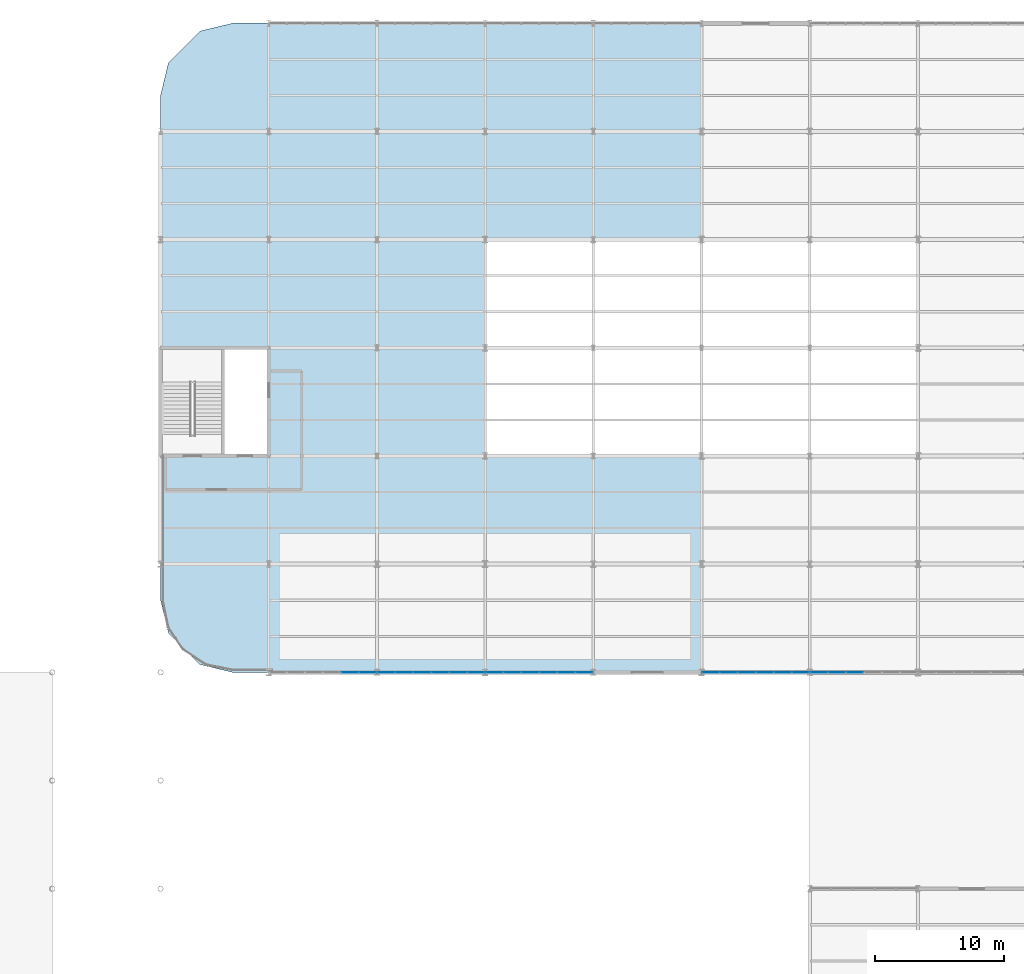
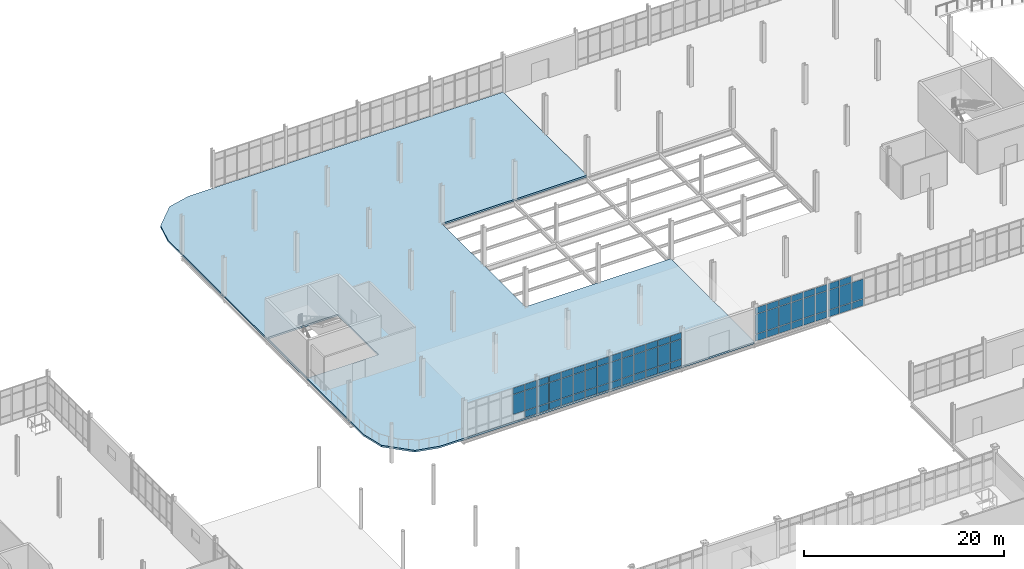
# One storey, part 116 of 145: 67 plates, 1 slab, 5 elements without a shape of their own.
"""IFC4 building model written with IfcOpenShell, lengths in metres."""

from ifc_helpers import new_model, si_unit, direction, frame, origin, origin_2d, place, context, subcontext, project, spatial, polyline, rectangle, outline, extrude, material, layer, layer_set, type_object, element, aggregate, save


model = new_model("IFC4")

# Units and contexts
model_context = context("Model", 3, precision=1e-05, world=origin(), true_north=direction((0.0, 1.0)))
body_context = subcontext(model_context, "Body", "Model", "MODEL_VIEW")
ifc_project = project(units=[si_unit("LENGTHUNIT", "METRE"), si_unit("AREAUNIT", "SQUARE_METRE"), si_unit("VOLUMEUNIT", "CUBIC_METRE"), si_unit("PLANEANGLEUNIT", "RADIAN"), si_unit("MASSUNIT", "GRAM", prefix="KILO")], contexts=[model_context])

# Site, building, storey
site_placement = place(None, origin())
site = spatial("IfcSite", under=ifc_project, at=site_placement, CompositionType="ELEMENT")
building_placement = place(site_placement, origin())
building = spatial("IfcBuilding", under=site, at=building_placement, Name="Qalvenar Corner Mobility Hub", CompositionType="ELEMENT")
storey_placement = place(building_placement, origin())
storey = spatial("IfcBuildingStorey", under=building, at=storey_placement, Name="L00", CompositionType="ELEMENT", Elevation=0.0)

# Curtain wall, plates
ifc_material_1 = material(Name="Anodised Aluminium and Low-E Glazing", Category="aluminium")
ifc_layer_1 = layer(ifc_material_1, 0.14990234375)
ifc_layer_set_1 = layer_set([ifc_layer_1], Name="Anodised Aluminium and Low-E Glazing")
curtain_wall_type = type_object("IfcCurtainWallType", Name="CW-MOB-84X46", PredefinedType="NOTDEFINED", material=ifc_layer_set_1)
curtain_wall_1_placement = place(storey_placement, origin())
curtain_wall_1 = element("IfcCurtainWall", 1, at=curtain_wall_1_placement, inside=storey, type_object=curtain_wall_type, Name="Glazed Curtain Wall CW-V4-L00-S1", PredefinedType="NOTDEFINED")
ifc_material_2 = material(Name="Solar-Control Low-E Double Glazing", Category="glass")
ifc_layer_2 = layer(ifc_material_2, 0.028076171875)
ifc_layer_set_2 = layer_set([ifc_layer_2], Name="Solar-Control Low-E Double Glazing")
plate_type = type_object("IfcPlateType", Name="PLT-CWP-GLZ1", PredefinedType="CURTAIN_PANEL", material=ifc_layer_set_2)
plate_1_placement = place(storey_placement, frame((73.5, 67.199951171875, 0.927490234375), z_axis=(0.0, 0.0, 1.0), x_axis=(1.0, 0.0, 0.0)))
plate_1 = element("IfcPlate", 2, at=plate_1_placement, type_object=plate_type, Name="CW-03 panel 5.2", PredefinedType="CURTAIN_PANEL", context=body_context, shape_type="SweptSolid", body=[
    extrude(rectangle(XDim=1.340087890625, YDim=0.028076171875, at=origin_2d()), origin(), (0.0, 0.0, 1.0), 2.39501953125),
])
plate_2_placement = place(storey_placement, frame((73.5, 67.199951171875, 3.37744140625), z_axis=(0.0, 0.0, 1.0), x_axis=(1.0, 0.0, 0.0)))
plate_2 = element("IfcPlate", 3, at=plate_2_placement, type_object=plate_type, Name="CW-03 panel 5.3", PredefinedType="CURTAIN_PANEL", context=body_context, shape_type="SweptSolid", body=[
    extrude(rectangle(XDim=1.340087890625, YDim=0.028076171875, at=origin_2d()), origin(), (0.0, 0.0, 1.0), 0.767578125),
])
plate_3_placement = place(storey_placement, frame((74.885009765625, 67.199951171875, 0.05517578125), z_axis=(0.0, 0.0, 1.0), x_axis=(1.0, 0.0, 0.0)))
plate_3 = element("IfcPlate", 4, at=plate_3_placement, type_object=plate_type, Name="CW-03 panel 6.1", PredefinedType="CURTAIN_PANEL", context=body_context, shape_type="SweptSolid", body=[
    extrude(rectangle(XDim=1.31005859375, YDim=0.028076171875, at=origin_2d()), origin(), (0.0, 0.0, 1.0), 0.8173828125),
])
plate_4_placement = place(storey_placement, frame((74.885009765625, 67.199951171875, 0.927490234375), z_axis=(0.0, 0.0, 1.0), x_axis=(1.0, 0.0, 0.0)))
plate_4 = element("IfcPlate", 5, at=plate_4_placement, type_object=plate_type, Name="CW-03 panel 6.2", PredefinedType="CURTAIN_PANEL", context=body_context, shape_type="SweptSolid", body=[
    extrude(rectangle(XDim=1.31005859375, YDim=0.028076171875, at=origin_2d()), origin(), (0.0, 0.0, 1.0), 2.39501953125),
])
plate_5_placement = place(storey_placement, frame((74.885009765625, 67.199951171875, 3.37744140625), z_axis=(0.0, 0.0, 1.0), x_axis=(1.0, 0.0, 0.0)))
plate_5 = element("IfcPlate", 6, at=plate_5_placement, type_object=plate_type, Name="CW-03 panel 6.3", PredefinedType="CURTAIN_PANEL", context=body_context, shape_type="SweptSolid", body=[
    extrude(rectangle(XDim=1.31005859375, YDim=0.028076171875, at=origin_2d()), origin(), (0.0, 0.0, 1.0), 0.767578125),
])
aggregate(curtain_wall_1, [plate_1, plate_2, plate_3, plate_4, plate_5])

curtain_wall_2_placement = place(storey_placement, origin())
curtain_wall_2 = element("IfcCurtainWall", 7, at=curtain_wall_2_placement, inside=storey, type_object=curtain_wall_type, Name="Glazed Curtain Wall CW-V4-L00-S2", PredefinedType="NOTDEFINED")
plate_6_placement = place(storey_placement, frame((76.31494140625, 67.199951171875, 0.05517578125), z_axis=(0.0, 0.0, 1.0), x_axis=(1.0, 0.0, 0.0)))
plate_6 = element("IfcPlate", 8, at=plate_6_placement, type_object=plate_type, Name="CW-03 panel 1.1", PredefinedType="CURTAIN_PANEL", context=body_context, shape_type="SweptSolid", body=[
    extrude(rectangle(XDim=1.31005859375, YDim=0.028076171875, at=origin_2d()), origin(), (0.0, 0.0, 1.0), 0.8173828125),
])
plate_7_placement = place(storey_placement, frame((76.31494140625, 67.199951171875, 0.927490234375), z_axis=(0.0, 0.0, 1.0), x_axis=(1.0, 0.0, 0.0)))
plate_7 = element("IfcPlate", 9, at=plate_7_placement, type_object=plate_type, Name="CW-03 panel 1.2", PredefinedType="CURTAIN_PANEL", context=body_context, shape_type="SweptSolid", body=[
    extrude(rectangle(XDim=1.31005859375, YDim=0.028076171875, at=origin_2d()), origin(), (0.0, 0.0, 1.0), 2.39501953125),
])
plate_8_placement = place(storey_placement, frame((76.31494140625, 67.199951171875, 3.37744140625), z_axis=(0.0, 0.0, 1.0), x_axis=(1.0, 0.0, 0.0)))
plate_8 = element("IfcPlate", 10, at=plate_8_placement, type_object=plate_type, Name="CW-03 panel 1.3", PredefinedType="CURTAIN_PANEL", context=body_context, shape_type="SweptSolid", body=[
    extrude(rectangle(XDim=1.31005859375, YDim=0.028076171875, at=origin_2d()), origin(), (0.0, 0.0, 1.0), 0.767578125),
])
plate_9_placement = place(storey_placement, frame((77.699951171875, 67.199951171875, 0.05517578125), z_axis=(0.0, 0.0, 1.0), x_axis=(1.0, 0.0, 0.0)))
plate_9 = element("IfcPlate", 11, at=plate_9_placement, type_object=plate_type, Name="CW-03 panel 2.1", PredefinedType="CURTAIN_PANEL", context=body_context, shape_type="SweptSolid", body=[
    extrude(rectangle(XDim=1.340087890625, YDim=0.028076171875, at=origin_2d()), origin(), (0.0, 0.0, 1.0), 0.8173828125),
])
plate_10_placement = place(storey_placement, frame((77.699951171875, 67.199951171875, 0.927490234375), z_axis=(0.0, 0.0, 1.0), x_axis=(1.0, 0.0, 0.0)))
plate_10 = element("IfcPlate", 12, at=plate_10_placement, type_object=plate_type, Name="CW-03 panel 2.2", PredefinedType="CURTAIN_PANEL", context=body_context, shape_type="SweptSolid", body=[
    extrude(rectangle(XDim=1.340087890625, YDim=0.028076171875, at=origin_2d()), origin(), (0.0, 0.0, 1.0), 2.39501953125),
])
plate_11_placement = place(storey_placement, frame((77.699951171875, 67.199951171875, 3.37744140625), z_axis=(0.0, 0.0, 1.0), x_axis=(1.0, 0.0, 0.0)))
plate_11 = element("IfcPlate", 13, at=plate_11_placement, type_object=plate_type, Name="CW-03 panel 2.3", PredefinedType="CURTAIN_PANEL", context=body_context, shape_type="SweptSolid", body=[
    extrude(rectangle(XDim=1.340087890625, YDim=0.028076171875, at=origin_2d()), origin(), (0.0, 0.0, 1.0), 0.767578125),
])
plate_12_placement = place(storey_placement, frame((79.10009765625, 67.199951171875, 0.05517578125), z_axis=(0.0, 0.0, 1.0), x_axis=(1.0, 0.0, 0.0)))
plate_12 = element("IfcPlate", 14, at=plate_12_placement, type_object=plate_type, Name="CW-03 panel 3.1", PredefinedType="CURTAIN_PANEL", context=body_context, shape_type="SweptSolid", body=[
    extrude(rectangle(XDim=1.340087890625, YDim=0.028076171875, at=origin_2d()), origin(), (0.0, 0.0, 1.0), 0.8173828125),
])
plate_13_placement = place(storey_placement, frame((79.10009765625, 67.199951171875, 0.927490234375), z_axis=(0.0, 0.0, 1.0), x_axis=(1.0, 0.0, 0.0)))
plate_13 = element("IfcPlate", 15, at=plate_13_placement, type_object=plate_type, Name="CW-03 panel 3.2", PredefinedType="CURTAIN_PANEL", context=body_context, shape_type="SweptSolid", body=[
    extrude(rectangle(XDim=1.340087890625, YDim=0.028076171875, at=origin_2d()), origin(), (0.0, 0.0, 1.0), 2.39501953125),
])
plate_14_placement = place(storey_placement, frame((79.10009765625, 67.199951171875, 3.37744140625), z_axis=(0.0, 0.0, 1.0), x_axis=(1.0, 0.0, 0.0)))
plate_14 = element("IfcPlate", 16, at=plate_14_placement, type_object=plate_type, Name="CW-03 panel 3.3", PredefinedType="CURTAIN_PANEL", context=body_context, shape_type="SweptSolid", body=[
    extrude(rectangle(XDim=1.340087890625, YDim=0.028076171875, at=origin_2d()), origin(), (0.0, 0.0, 1.0), 0.767578125),
])
plate_15_placement = place(storey_placement, frame((80.5, 67.199951171875, 0.05517578125), z_axis=(0.0, 0.0, 1.0), x_axis=(1.0, 0.0, 0.0)))
plate_15 = element("IfcPlate", 17, at=plate_15_placement, type_object=plate_type, Name="CW-03 panel 4.1", PredefinedType="CURTAIN_PANEL", context=body_context, shape_type="SweptSolid", body=[
    extrude(rectangle(XDim=1.340087890625, YDim=0.028076171875, at=origin_2d()), origin(), (0.0, 0.0, 1.0), 0.8173828125),
])
plate_16_placement = place(storey_placement, frame((80.5, 67.199951171875, 0.927490234375), z_axis=(0.0, 0.0, 1.0), x_axis=(1.0, 0.0, 0.0)))
plate_16 = element("IfcPlate", 18, at=plate_16_placement, type_object=plate_type, Name="CW-03 panel 4.2", PredefinedType="CURTAIN_PANEL", context=body_context, shape_type="SweptSolid", body=[
    extrude(rectangle(XDim=1.340087890625, YDim=0.028076171875, at=origin_2d()), origin(), (0.0, 0.0, 1.0), 2.39501953125),
])
plate_17_placement = place(storey_placement, frame((80.5, 67.199951171875, 3.37744140625), z_axis=(0.0, 0.0, 1.0), x_axis=(1.0, 0.0, 0.0)))
plate_17 = element("IfcPlate", 19, at=plate_17_placement, type_object=plate_type, Name="CW-03 panel 4.3", PredefinedType="CURTAIN_PANEL", context=body_context, shape_type="SweptSolid", body=[
    extrude(rectangle(XDim=1.340087890625, YDim=0.028076171875, at=origin_2d()), origin(), (0.0, 0.0, 1.0), 0.767578125),
])
plate_18_placement = place(storey_placement, frame((81.89990234375, 67.199951171875, 0.05517578125), z_axis=(0.0, 0.0, 1.0), x_axis=(1.0, 0.0, 0.0)))
plate_18 = element("IfcPlate", 20, at=plate_18_placement, type_object=plate_type, Name="CW-03 panel 5.1", PredefinedType="CURTAIN_PANEL", context=body_context, shape_type="SweptSolid", body=[
    extrude(rectangle(XDim=1.340087890625, YDim=0.028076171875, at=origin_2d()), origin(), (0.0, 0.0, 1.0), 0.8173828125),
])
plate_19_placement = place(storey_placement, frame((81.89990234375, 67.199951171875, 0.927490234375), z_axis=(0.0, 0.0, 1.0), x_axis=(1.0, 0.0, 0.0)))
plate_19 = element("IfcPlate", 21, at=plate_19_placement, type_object=plate_type, Name="CW-03 panel 5.2", PredefinedType="CURTAIN_PANEL", context=body_context, shape_type="SweptSolid", body=[
    extrude(rectangle(XDim=1.340087890625, YDim=0.028076171875, at=origin_2d()), origin(), (0.0, 0.0, 1.0), 2.39501953125),
])
plate_20_placement = place(storey_placement, frame((81.89990234375, 67.199951171875, 3.37744140625), z_axis=(0.0, 0.0, 1.0), x_axis=(1.0, 0.0, 0.0)))
plate_20 = element("IfcPlate", 22, at=plate_20_placement, type_object=plate_type, Name="CW-03 panel 5.3", PredefinedType="CURTAIN_PANEL", context=body_context, shape_type="SweptSolid", body=[
    extrude(rectangle(XDim=1.340087890625, YDim=0.028076171875, at=origin_2d()), origin(), (0.0, 0.0, 1.0), 0.767578125),
])
plate_21_placement = place(storey_placement, frame((83.284912109375, 67.199951171875, 0.05517578125), z_axis=(0.0, 0.0, 1.0), x_axis=(1.0, 0.0, 0.0)))
plate_21 = element("IfcPlate", 23, at=plate_21_placement, type_object=plate_type, Name="CW-03 panel 6.1", PredefinedType="CURTAIN_PANEL", context=body_context, shape_type="SweptSolid", body=[
    extrude(rectangle(XDim=1.31005859375, YDim=0.028076171875, at=origin_2d()), origin(), (0.0, 0.0, 1.0), 0.8173828125),
])
plate_22_placement = place(storey_placement, frame((83.284912109375, 67.199951171875, 0.927490234375), z_axis=(0.0, 0.0, 1.0), x_axis=(1.0, 0.0, 0.0)))
plate_22 = element("IfcPlate", 24, at=plate_22_placement, type_object=plate_type, Name="CW-03 panel 6.2", PredefinedType="CURTAIN_PANEL", context=body_context, shape_type="SweptSolid", body=[
    extrude(rectangle(XDim=1.31005859375, YDim=0.028076171875, at=origin_2d()), origin(), (0.0, 0.0, 1.0), 2.39501953125),
])
plate_23_placement = place(storey_placement, frame((83.284912109375, 67.199951171875, 3.37744140625), z_axis=(0.0, 0.0, 1.0), x_axis=(1.0, 0.0, 0.0)))
plate_23 = element("IfcPlate", 25, at=plate_23_placement, type_object=plate_type, Name="CW-03 panel 6.3", PredefinedType="CURTAIN_PANEL", context=body_context, shape_type="SweptSolid", body=[
    extrude(rectangle(XDim=1.31005859375, YDim=0.028076171875, at=origin_2d()), origin(), (0.0, 0.0, 1.0), 0.767578125),
])
aggregate(curtain_wall_2, [plate_6, plate_7, plate_8, plate_9, plate_10, plate_11, plate_12, plate_13, plate_14, plate_15, plate_16, plate_17, plate_18, plate_19, plate_20, plate_21, plate_22, plate_23])

curtain_wall_3_placement = place(storey_placement, origin())
curtain_wall_3 = element("IfcCurtainWall", 26, at=curtain_wall_3_placement, inside=storey, type_object=curtain_wall_type, Name="Glazed Curtain Wall CW-V4-L00-S3", PredefinedType="NOTDEFINED")
plate_24_placement = place(storey_placement, frame((84.715087890625, 67.199951171875, 0.05517578125), z_axis=(0.0, 0.0, 1.0), x_axis=(1.0, 0.0, 0.0)))
plate_24 = element("IfcPlate", 27, at=plate_24_placement, type_object=plate_type, Name="CW-03 panel 1.1", PredefinedType="CURTAIN_PANEL", context=body_context, shape_type="SweptSolid", body=[
    extrude(rectangle(XDim=1.31005859375, YDim=0.028076171875, at=origin_2d()), origin(), (0.0, 0.0, 1.0), 0.8173828125),
])
plate_25_placement = place(storey_placement, frame((84.715087890625, 67.199951171875, 0.927490234375), z_axis=(0.0, 0.0, 1.0), x_axis=(1.0, 0.0, 0.0)))
plate_25 = element("IfcPlate", 28, at=plate_25_placement, type_object=plate_type, Name="CW-03 panel 1.2", PredefinedType="CURTAIN_PANEL", context=body_context, shape_type="SweptSolid", body=[
    extrude(rectangle(XDim=1.31005859375, YDim=0.028076171875, at=origin_2d()), origin(), (0.0, 0.0, 1.0), 2.39501953125),
])
plate_26_placement = place(storey_placement, frame((84.715087890625, 67.199951171875, 3.37744140625), z_axis=(0.0, 0.0, 1.0), x_axis=(1.0, 0.0, 0.0)))
plate_26 = element("IfcPlate", 29, at=plate_26_placement, type_object=plate_type, Name="CW-03 panel 1.3", PredefinedType="CURTAIN_PANEL", context=body_context, shape_type="SweptSolid", body=[
    extrude(rectangle(XDim=1.31005859375, YDim=0.028076171875, at=origin_2d()), origin(), (0.0, 0.0, 1.0), 0.767578125),
])
plate_27_placement = place(storey_placement, frame((86.10009765625, 67.199951171875, 0.05517578125), z_axis=(0.0, 0.0, 1.0), x_axis=(1.0, 0.0, 0.0)))
plate_27 = element("IfcPlate", 30, at=plate_27_placement, type_object=plate_type, Name="CW-03 panel 2.1", PredefinedType="CURTAIN_PANEL", context=body_context, shape_type="SweptSolid", body=[
    extrude(rectangle(XDim=1.340087890625, YDim=0.028076171875, at=origin_2d()), origin(), (0.0, 0.0, 1.0), 0.8173828125),
])
plate_28_placement = place(storey_placement, frame((86.10009765625, 67.199951171875, 0.927490234375), z_axis=(0.0, 0.0, 1.0), x_axis=(1.0, 0.0, 0.0)))
plate_28 = element("IfcPlate", 31, at=plate_28_placement, type_object=plate_type, Name="CW-03 panel 2.2", PredefinedType="CURTAIN_PANEL", context=body_context, shape_type="SweptSolid", body=[
    extrude(rectangle(XDim=1.340087890625, YDim=0.028076171875, at=origin_2d()), origin(), (0.0, 0.0, 1.0), 2.39501953125),
])
plate_29_placement = place(storey_placement, frame((86.10009765625, 67.199951171875, 3.37744140625), z_axis=(0.0, 0.0, 1.0), x_axis=(1.0, 0.0, 0.0)))
plate_29 = element("IfcPlate", 32, at=plate_29_placement, type_object=plate_type, Name="CW-03 panel 2.3", PredefinedType="CURTAIN_PANEL", context=body_context, shape_type="SweptSolid", body=[
    extrude(rectangle(XDim=1.340087890625, YDim=0.028076171875, at=origin_2d()), origin(), (0.0, 0.0, 1.0), 0.767578125),
])
plate_30_placement = place(storey_placement, frame((87.5, 67.199951171875, 0.05517578125), z_axis=(0.0, 0.0, 1.0), x_axis=(1.0, 0.0, 0.0)))
plate_30 = element("IfcPlate", 33, at=plate_30_placement, type_object=plate_type, Name="CW-03 panel 3.1", PredefinedType="CURTAIN_PANEL", context=body_context, shape_type="SweptSolid", body=[
    extrude(rectangle(XDim=1.340087890625, YDim=0.028076171875, at=origin_2d()), origin(), (0.0, 0.0, 1.0), 0.8173828125),
])
plate_31_placement = place(storey_placement, frame((87.5, 67.199951171875, 0.927490234375), z_axis=(0.0, 0.0, 1.0), x_axis=(1.0, 0.0, 0.0)))
plate_31 = element("IfcPlate", 34, at=plate_31_placement, type_object=plate_type, Name="CW-03 panel 3.2", PredefinedType="CURTAIN_PANEL", context=body_context, shape_type="SweptSolid", body=[
    extrude(rectangle(XDim=1.340087890625, YDim=0.028076171875, at=origin_2d()), origin(), (0.0, 0.0, 1.0), 2.39501953125),
])
plate_32_placement = place(storey_placement, frame((87.5, 67.199951171875, 3.37744140625), z_axis=(0.0, 0.0, 1.0), x_axis=(1.0, 0.0, 0.0)))
plate_32 = element("IfcPlate", 35, at=plate_32_placement, type_object=plate_type, Name="CW-03 panel 3.3", PredefinedType="CURTAIN_PANEL", context=body_context, shape_type="SweptSolid", body=[
    extrude(rectangle(XDim=1.340087890625, YDim=0.028076171875, at=origin_2d()), origin(), (0.0, 0.0, 1.0), 0.767578125),
])
plate_33_placement = place(storey_placement, frame((88.89990234375, 67.199951171875, 0.05517578125), z_axis=(0.0, 0.0, 1.0), x_axis=(1.0, 0.0, 0.0)))
plate_33 = element("IfcPlate", 36, at=plate_33_placement, type_object=plate_type, Name="CW-03 panel 4.1", PredefinedType="CURTAIN_PANEL", context=body_context, shape_type="SweptSolid", body=[
    extrude(rectangle(XDim=1.340087890625, YDim=0.028076171875, at=origin_2d()), origin(), (0.0, 0.0, 1.0), 0.8173828125),
])
plate_34_placement = place(storey_placement, frame((88.89990234375, 67.199951171875, 0.927490234375), z_axis=(0.0, 0.0, 1.0), x_axis=(1.0, 0.0, 0.0)))
plate_34 = element("IfcPlate", 37, at=plate_34_placement, type_object=plate_type, Name="CW-03 panel 4.2", PredefinedType="CURTAIN_PANEL", context=body_context, shape_type="SweptSolid", body=[
    extrude(rectangle(XDim=1.340087890625, YDim=0.028076171875, at=origin_2d()), origin(), (0.0, 0.0, 1.0), 2.39501953125),
])
plate_35_placement = place(storey_placement, frame((88.89990234375, 67.199951171875, 3.37744140625), z_axis=(0.0, 0.0, 1.0), x_axis=(1.0, 0.0, 0.0)))
plate_35 = element("IfcPlate", 38, at=plate_35_placement, type_object=plate_type, Name="CW-03 panel 4.3", PredefinedType="CURTAIN_PANEL", context=body_context, shape_type="SweptSolid", body=[
    extrude(rectangle(XDim=1.340087890625, YDim=0.028076171875, at=origin_2d()), origin(), (0.0, 0.0, 1.0), 0.767578125),
])
plate_36_placement = place(storey_placement, frame((90.300048828125, 67.199951171875, 0.05517578125), z_axis=(0.0, 0.0, 1.0), x_axis=(1.0, 0.0, 0.0)))
plate_36 = element("IfcPlate", 39, at=plate_36_placement, type_object=plate_type, Name="CW-03 panel 5.1", PredefinedType="CURTAIN_PANEL", context=body_context, shape_type="SweptSolid", body=[
    extrude(rectangle(XDim=1.340087890625, YDim=0.028076171875, at=origin_2d()), origin(), (0.0, 0.0, 1.0), 0.8173828125),
])
plate_37_placement = place(storey_placement, frame((90.300048828125, 67.199951171875, 0.927490234375), z_axis=(0.0, 0.0, 1.0), x_axis=(1.0, 0.0, 0.0)))
plate_37 = element("IfcPlate", 40, at=plate_37_placement, type_object=plate_type, Name="CW-03 panel 5.2", PredefinedType="CURTAIN_PANEL", context=body_context, shape_type="SweptSolid", body=[
    extrude(rectangle(XDim=1.340087890625, YDim=0.028076171875, at=origin_2d()), origin(), (0.0, 0.0, 1.0), 2.39501953125),
])
plate_38_placement = place(storey_placement, frame((90.300048828125, 67.199951171875, 3.37744140625), z_axis=(0.0, 0.0, 1.0), x_axis=(1.0, 0.0, 0.0)))
plate_38 = element("IfcPlate", 41, at=plate_38_placement, type_object=plate_type, Name="CW-03 panel 5.3", PredefinedType="CURTAIN_PANEL", context=body_context, shape_type="SweptSolid", body=[
    extrude(rectangle(XDim=1.340087890625, YDim=0.028076171875, at=origin_2d()), origin(), (0.0, 0.0, 1.0), 0.767578125),
])
plate_39_placement = place(storey_placement, frame((91.68505859375, 67.199951171875, 0.05517578125), z_axis=(0.0, 0.0, 1.0), x_axis=(1.0, 0.0, 0.0)))
plate_39 = element("IfcPlate", 42, at=plate_39_placement, type_object=plate_type, Name="CW-03 panel 6.1", PredefinedType="CURTAIN_PANEL", context=body_context, shape_type="SweptSolid", body=[
    extrude(rectangle(XDim=1.31005859375, YDim=0.028076171875, at=origin_2d()), origin(), (0.0, 0.0, 1.0), 0.8173828125),
])
plate_40_placement = place(storey_placement, frame((91.68505859375, 67.199951171875, 0.927490234375), z_axis=(0.0, 0.0, 1.0), x_axis=(1.0, 0.0, 0.0)))
plate_40 = element("IfcPlate", 43, at=plate_40_placement, type_object=plate_type, Name="CW-03 panel 6.2", PredefinedType="CURTAIN_PANEL", context=body_context, shape_type="SweptSolid", body=[
    extrude(rectangle(XDim=1.31005859375, YDim=0.028076171875, at=origin_2d()), origin(), (0.0, 0.0, 1.0), 2.39501953125),
])
plate_41_placement = place(storey_placement, frame((91.68505859375, 67.199951171875, 3.37744140625), z_axis=(0.0, 0.0, 1.0), x_axis=(1.0, 0.0, 0.0)))
plate_41 = element("IfcPlate", 44, at=plate_41_placement, type_object=plate_type, Name="CW-03 panel 6.3", PredefinedType="CURTAIN_PANEL", context=body_context, shape_type="SweptSolid", body=[
    extrude(rectangle(XDim=1.31005859375, YDim=0.028076171875, at=origin_2d()), origin(), (0.0, 0.0, 1.0), 0.767578125),
])
aggregate(curtain_wall_3, [plate_24, plate_25, plate_26, plate_27, plate_28, plate_29, plate_30, plate_31, plate_32, plate_33, plate_34, plate_35, plate_36, plate_37, plate_38, plate_39, plate_40, plate_41])

curtain_wall_4_placement = place(storey_placement, origin())
curtain_wall_4 = element("IfcCurtainWall", 45, at=curtain_wall_4_placement, inside=storey, type_object=curtain_wall_type, Name="Glazed Curtain Wall CW-V4-L00-S5", PredefinedType="NOTDEFINED")
plate_42_placement = place(storey_placement, frame((101.514892578125, 67.199951171875, 0.05517578125), z_axis=(0.0, 0.0, 1.0), x_axis=(1.0, 0.0, 0.0)))
plate_42 = element("IfcPlate", 46, at=plate_42_placement, type_object=plate_type, Name="CW-03 panel 1.1", PredefinedType="CURTAIN_PANEL", context=body_context, shape_type="SweptSolid", body=[
    extrude(rectangle(XDim=1.31005859375, YDim=0.028076171875, at=origin_2d()), origin(), (0.0, 0.0, 1.0), 0.8173828125),
])
plate_43_placement = place(storey_placement, frame((101.514892578125, 67.199951171875, 0.927490234375), z_axis=(0.0, 0.0, 1.0), x_axis=(1.0, 0.0, 0.0)))
plate_43 = element("IfcPlate", 47, at=plate_43_placement, type_object=plate_type, Name="CW-03 panel 1.2", PredefinedType="CURTAIN_PANEL", context=body_context, shape_type="SweptSolid", body=[
    extrude(rectangle(XDim=1.31005859375, YDim=0.028076171875, at=origin_2d()), origin(), (0.0, 0.0, 1.0), 2.39501953125),
])
plate_44_placement = place(storey_placement, frame((101.514892578125, 67.199951171875, 3.37744140625), z_axis=(0.0, 0.0, 1.0), x_axis=(1.0, 0.0, 0.0)))
plate_44 = element("IfcPlate", 48, at=plate_44_placement, type_object=plate_type, Name="CW-03 panel 1.3", PredefinedType="CURTAIN_PANEL", context=body_context, shape_type="SweptSolid", body=[
    extrude(rectangle(XDim=1.31005859375, YDim=0.028076171875, at=origin_2d()), origin(), (0.0, 0.0, 1.0), 0.767578125),
])
plate_45_placement = place(storey_placement, frame((102.89990234375, 67.199951171875, 0.05517578125), z_axis=(0.0, 0.0, 1.0), x_axis=(1.0, 0.0, 0.0)))
plate_45 = element("IfcPlate", 49, at=plate_45_placement, type_object=plate_type, Name="CW-03 panel 2.1", PredefinedType="CURTAIN_PANEL", context=body_context, shape_type="SweptSolid", body=[
    extrude(rectangle(XDim=1.340087890625, YDim=0.028076171875, at=origin_2d()), origin(), (0.0, 0.0, 1.0), 0.8173828125),
])
plate_46_placement = place(storey_placement, frame((102.89990234375, 67.199951171875, 0.927490234375), z_axis=(0.0, 0.0, 1.0), x_axis=(1.0, 0.0, 0.0)))
plate_46 = element("IfcPlate", 50, at=plate_46_placement, type_object=plate_type, Name="CW-03 panel 2.2", PredefinedType="CURTAIN_PANEL", context=body_context, shape_type="SweptSolid", body=[
    extrude(rectangle(XDim=1.340087890625, YDim=0.028076171875, at=origin_2d()), origin(), (0.0, 0.0, 1.0), 2.39501953125),
])
plate_47_placement = place(storey_placement, frame((102.89990234375, 67.199951171875, 3.37744140625), z_axis=(0.0, 0.0, 1.0), x_axis=(1.0, 0.0, 0.0)))
plate_47 = element("IfcPlate", 51, at=plate_47_placement, type_object=plate_type, Name="CW-03 panel 2.3", PredefinedType="CURTAIN_PANEL", context=body_context, shape_type="SweptSolid", body=[
    extrude(rectangle(XDim=1.340087890625, YDim=0.028076171875, at=origin_2d()), origin(), (0.0, 0.0, 1.0), 0.767578125),
])
plate_48_placement = place(storey_placement, frame((104.300048828125, 67.199951171875, 0.05517578125), z_axis=(0.0, 0.0, 1.0), x_axis=(1.0, 0.0, 0.0)))
plate_48 = element("IfcPlate", 52, at=plate_48_placement, type_object=plate_type, Name="CW-03 panel 3.1", PredefinedType="CURTAIN_PANEL", context=body_context, shape_type="SweptSolid", body=[
    extrude(rectangle(XDim=1.340087890625, YDim=0.028076171875, at=origin_2d()), origin(), (0.0, 0.0, 1.0), 0.8173828125),
])
plate_49_placement = place(storey_placement, frame((104.300048828125, 67.199951171875, 0.927490234375), z_axis=(0.0, 0.0, 1.0), x_axis=(1.0, 0.0, 0.0)))
plate_49 = element("IfcPlate", 53, at=plate_49_placement, type_object=plate_type, Name="CW-03 panel 3.2", PredefinedType="CURTAIN_PANEL", context=body_context, shape_type="SweptSolid", body=[
    extrude(rectangle(XDim=1.340087890625, YDim=0.028076171875, at=origin_2d()), origin(), (0.0, 0.0, 1.0), 2.39501953125),
])
plate_50_placement = place(storey_placement, frame((104.300048828125, 67.199951171875, 3.37744140625), z_axis=(0.0, 0.0, 1.0), x_axis=(1.0, 0.0, 0.0)))
plate_50 = element("IfcPlate", 54, at=plate_50_placement, type_object=plate_type, Name="CW-03 panel 3.3", PredefinedType="CURTAIN_PANEL", context=body_context, shape_type="SweptSolid", body=[
    extrude(rectangle(XDim=1.340087890625, YDim=0.028076171875, at=origin_2d()), origin(), (0.0, 0.0, 1.0), 0.767578125),
])
plate_51_placement = place(storey_placement, frame((105.699951171875, 67.199951171875, 0.05517578125), z_axis=(0.0, 0.0, 1.0), x_axis=(1.0, 0.0, 0.0)))
plate_51 = element("IfcPlate", 55, at=plate_51_placement, type_object=plate_type, Name="CW-03 panel 4.1", PredefinedType="CURTAIN_PANEL", context=body_context, shape_type="SweptSolid", body=[
    extrude(rectangle(XDim=1.340087890625, YDim=0.028076171875, at=origin_2d()), origin(), (0.0, 0.0, 1.0), 0.8173828125),
])
plate_52_placement = place(storey_placement, frame((105.699951171875, 67.199951171875, 0.927490234375), z_axis=(0.0, 0.0, 1.0), x_axis=(1.0, 0.0, 0.0)))
plate_52 = element("IfcPlate", 56, at=plate_52_placement, type_object=plate_type, Name="CW-03 panel 4.2", PredefinedType="CURTAIN_PANEL", context=body_context, shape_type="SweptSolid", body=[
    extrude(rectangle(XDim=1.340087890625, YDim=0.028076171875, at=origin_2d()), origin(), (0.0, 0.0, 1.0), 2.39501953125),
])
plate_53_placement = place(storey_placement, frame((105.699951171875, 67.199951171875, 3.37744140625), z_axis=(0.0, 0.0, 1.0), x_axis=(1.0, 0.0, 0.0)))
plate_53 = element("IfcPlate", 57, at=plate_53_placement, type_object=plate_type, Name="CW-03 panel 4.3", PredefinedType="CURTAIN_PANEL", context=body_context, shape_type="SweptSolid", body=[
    extrude(rectangle(XDim=1.340087890625, YDim=0.028076171875, at=origin_2d()), origin(), (0.0, 0.0, 1.0), 0.767578125),
])
plate_54_placement = place(storey_placement, frame((107.10009765625, 67.199951171875, 0.05517578125), z_axis=(0.0, 0.0, 1.0), x_axis=(1.0, 0.0, 0.0)))
plate_54 = element("IfcPlate", 58, at=plate_54_placement, type_object=plate_type, Name="CW-03 panel 5.1", PredefinedType="CURTAIN_PANEL", context=body_context, shape_type="SweptSolid", body=[
    extrude(rectangle(XDim=1.340087890625, YDim=0.028076171875, at=origin_2d()), origin(), (0.0, 0.0, 1.0), 0.8173828125),
])
plate_55_placement = place(storey_placement, frame((107.10009765625, 67.199951171875, 0.927490234375), z_axis=(0.0, 0.0, 1.0), x_axis=(1.0, 0.0, 0.0)))
plate_55 = element("IfcPlate", 59, at=plate_55_placement, type_object=plate_type, Name="CW-03 panel 5.2", PredefinedType="CURTAIN_PANEL", context=body_context, shape_type="SweptSolid", body=[
    extrude(rectangle(XDim=1.340087890625, YDim=0.028076171875, at=origin_2d()), origin(), (0.0, 0.0, 1.0), 2.39501953125),
])
plate_56_placement = place(storey_placement, frame((107.10009765625, 67.199951171875, 3.37744140625), z_axis=(0.0, 0.0, 1.0), x_axis=(1.0, 0.0, 0.0)))
plate_56 = element("IfcPlate", 60, at=plate_56_placement, type_object=plate_type, Name="CW-03 panel 5.3", PredefinedType="CURTAIN_PANEL", context=body_context, shape_type="SweptSolid", body=[
    extrude(rectangle(XDim=1.340087890625, YDim=0.028076171875, at=origin_2d()), origin(), (0.0, 0.0, 1.0), 0.767578125),
])
plate_57_placement = place(storey_placement, frame((108.485107421875, 67.199951171875, 0.05517578125), z_axis=(0.0, 0.0, 1.0), x_axis=(1.0, 0.0, 0.0)))
plate_57 = element("IfcPlate", 61, at=plate_57_placement, type_object=plate_type, Name="CW-03 panel 6.1", PredefinedType="CURTAIN_PANEL", context=body_context, shape_type="SweptSolid", body=[
    extrude(rectangle(XDim=1.31005859375, YDim=0.028076171875, at=origin_2d()), origin(), (0.0, 0.0, 1.0), 0.8173828125),
])
plate_58_placement = place(storey_placement, frame((108.485107421875, 67.199951171875, 0.927490234375), z_axis=(0.0, 0.0, 1.0), x_axis=(1.0, 0.0, 0.0)))
plate_58 = element("IfcPlate", 62, at=plate_58_placement, type_object=plate_type, Name="CW-03 panel 6.2", PredefinedType="CURTAIN_PANEL", context=body_context, shape_type="SweptSolid", body=[
    extrude(rectangle(XDim=1.31005859375, YDim=0.028076171875, at=origin_2d()), origin(), (0.0, 0.0, 1.0), 2.39501953125),
])
plate_59_placement = place(storey_placement, frame((108.485107421875, 67.199951171875, 3.37744140625), z_axis=(0.0, 0.0, 1.0), x_axis=(1.0, 0.0, 0.0)))
plate_59 = element("IfcPlate", 63, at=plate_59_placement, type_object=plate_type, Name="CW-03 panel 6.3", PredefinedType="CURTAIN_PANEL", context=body_context, shape_type="SweptSolid", body=[
    extrude(rectangle(XDim=1.31005859375, YDim=0.028076171875, at=origin_2d()), origin(), (0.0, 0.0, 1.0), 0.767578125),
])
aggregate(curtain_wall_4, [plate_42, plate_43, plate_44, plate_45, plate_46, plate_47, plate_48, plate_49, plate_50, plate_51, plate_52, plate_53, plate_54, plate_55, plate_56, plate_57, plate_58, plate_59])

curtain_wall_5_placement = place(storey_placement, origin())
curtain_wall_5 = element("IfcCurtainWall", 64, at=curtain_wall_5_placement, inside=storey, type_object=curtain_wall_type, Name="Glazed Curtain Wall CW-V4-L00-S6", PredefinedType="NOTDEFINED")
plate_60_placement = place(storey_placement, frame((109.9150390625, 67.199951171875, 0.05517578125), z_axis=(0.0, 0.0, 1.0), x_axis=(1.0, 0.0, 0.0)))
plate_60 = element("IfcPlate", 65, at=plate_60_placement, type_object=plate_type, Name="CW-03 panel 1.1", PredefinedType="CURTAIN_PANEL", context=body_context, shape_type="SweptSolid", body=[
    extrude(rectangle(XDim=1.31005859375, YDim=0.028076171875, at=origin_2d()), origin(), (0.0, 0.0, 1.0), 0.8173828125),
])
plate_61_placement = place(storey_placement, frame((109.9150390625, 67.199951171875, 0.927490234375), z_axis=(0.0, 0.0, 1.0), x_axis=(1.0, 0.0, 0.0)))
plate_61 = element("IfcPlate", 66, at=plate_61_placement, type_object=plate_type, Name="CW-03 panel 1.2", PredefinedType="CURTAIN_PANEL", context=body_context, shape_type="SweptSolid", body=[
    extrude(rectangle(XDim=1.31005859375, YDim=0.028076171875, at=origin_2d()), origin(), (0.0, 0.0, 1.0), 2.39501953125),
])
plate_62_placement = place(storey_placement, frame((109.9150390625, 67.199951171875, 3.37744140625), z_axis=(0.0, 0.0, 1.0), x_axis=(1.0, 0.0, 0.0)))
plate_62 = element("IfcPlate", 67, at=plate_62_placement, type_object=plate_type, Name="CW-03 panel 1.3", PredefinedType="CURTAIN_PANEL", context=body_context, shape_type="SweptSolid", body=[
    extrude(rectangle(XDim=1.31005859375, YDim=0.028076171875, at=origin_2d()), origin(), (0.0, 0.0, 1.0), 0.767578125),
])
plate_63_placement = place(storey_placement, frame((111.300048828125, 67.199951171875, 0.05517578125), z_axis=(0.0, 0.0, 1.0), x_axis=(1.0, 0.0, 0.0)))
plate_63 = element("IfcPlate", 68, at=plate_63_placement, type_object=plate_type, Name="CW-03 panel 2.1", PredefinedType="CURTAIN_PANEL", context=body_context, shape_type="SweptSolid", body=[
    extrude(rectangle(XDim=1.340087890625, YDim=0.028076171875, at=origin_2d()), origin(), (0.0, 0.0, 1.0), 0.8173828125),
])
plate_64_placement = place(storey_placement, frame((111.300048828125, 67.199951171875, 0.927490234375), z_axis=(0.0, 0.0, 1.0), x_axis=(1.0, 0.0, 0.0)))
plate_64 = element("IfcPlate", 69, at=plate_64_placement, type_object=plate_type, Name="CW-03 panel 2.2", PredefinedType="CURTAIN_PANEL", context=body_context, shape_type="SweptSolid", body=[
    extrude(rectangle(XDim=1.340087890625, YDim=0.028076171875, at=origin_2d()), origin(), (0.0, 0.0, 1.0), 2.39501953125),
])
plate_65_placement = place(storey_placement, frame((111.300048828125, 67.199951171875, 3.37744140625), z_axis=(0.0, 0.0, 1.0), x_axis=(1.0, 0.0, 0.0)))
plate_65 = element("IfcPlate", 70, at=plate_65_placement, type_object=plate_type, Name="CW-03 panel 2.3", PredefinedType="CURTAIN_PANEL", context=body_context, shape_type="SweptSolid", body=[
    extrude(rectangle(XDim=1.340087890625, YDim=0.028076171875, at=origin_2d()), origin(), (0.0, 0.0, 1.0), 0.767578125),
])
plate_66_placement = place(storey_placement, frame((112.699951171875, 67.199951171875, 0.05517578125), z_axis=(0.0, 0.0, 1.0), x_axis=(1.0, 0.0, 0.0)))
plate_66 = element("IfcPlate", 71, at=plate_66_placement, type_object=plate_type, Name="CW-03 panel 3.1", PredefinedType="CURTAIN_PANEL", context=body_context, shape_type="SweptSolid", body=[
    extrude(rectangle(XDim=1.340087890625, YDim=0.028076171875, at=origin_2d()), origin(), (0.0, 0.0, 1.0), 0.8173828125),
])
plate_67_placement = place(storey_placement, frame((112.699951171875, 67.199951171875, 0.927490234375), z_axis=(0.0, 0.0, 1.0), x_axis=(1.0, 0.0, 0.0)))
plate_67 = element("IfcPlate", 72, at=plate_67_placement, type_object=plate_type, Name="CW-03 panel 3.2", PredefinedType="CURTAIN_PANEL", context=body_context, shape_type="SweptSolid", body=[
    extrude(rectangle(XDim=1.340087890625, YDim=0.028076171875, at=origin_2d()), origin(), (0.0, 0.0, 1.0), 2.39501953125),
])
aggregate(curtain_wall_5, [plate_60, plate_61, plate_62, plate_63, plate_64, plate_65, plate_66, plate_67])

# Slab
ifc_material_3 = material(Name="Concrete C35/45", Category="concrete")
ifc_layer_3 = layer(ifc_material_3, 0.219970703125)
ifc_layer_set_3 = layer_set([ifc_layer_3], Name="Concrete C35/45")
slab_type = type_object("IfcSlabType", Name="SLB-COMP220", PredefinedType="FLOOR", material=ifc_layer_set_3)
slab_placement = place(storey_placement, frame((0.0, 0.0, -0.219970703125)))
element("IfcSlab", 73, at=slab_placement, inside=storey, type_object=slab_type, Name="Composite Deck V4-W-L00", PredefinedType="FLOOR", context=body_context, shape_type="SweptSolid", body=[
    extrude(outline(polyline([(64.39990234375, 67.199951171875), (100.800048828125, 67.199951171875), (100.800048828125, 84.0), (84.0, 84.0), (84.0, 100.800048828125), (100.800048828125, 100.800048828125), (100.800048828125, 117.60009765625), (64.39990234375, 117.60009765625), (61.857666015625, 116.989501953125), (59.410400390625, 114.542236328125), (58.800048828125, 112.0), (58.800048828125, 72.800048828125), (59.410400390625, 70.2578125), (61.857666015625, 67.810302734375), (64.39990234375, 67.199951171875)]), holes=[polyline([(58.929931640625, 84.1298828125), (67.070068359375, 84.1298828125), (67.070068359375, 92.27001953125), (58.929931640625, 92.27001953125), (58.929931640625, 84.1298828125)])]), origin(), (0.0, 0.0, 1.0), 0.219970703125),
])

save(model, "model.ifc")
